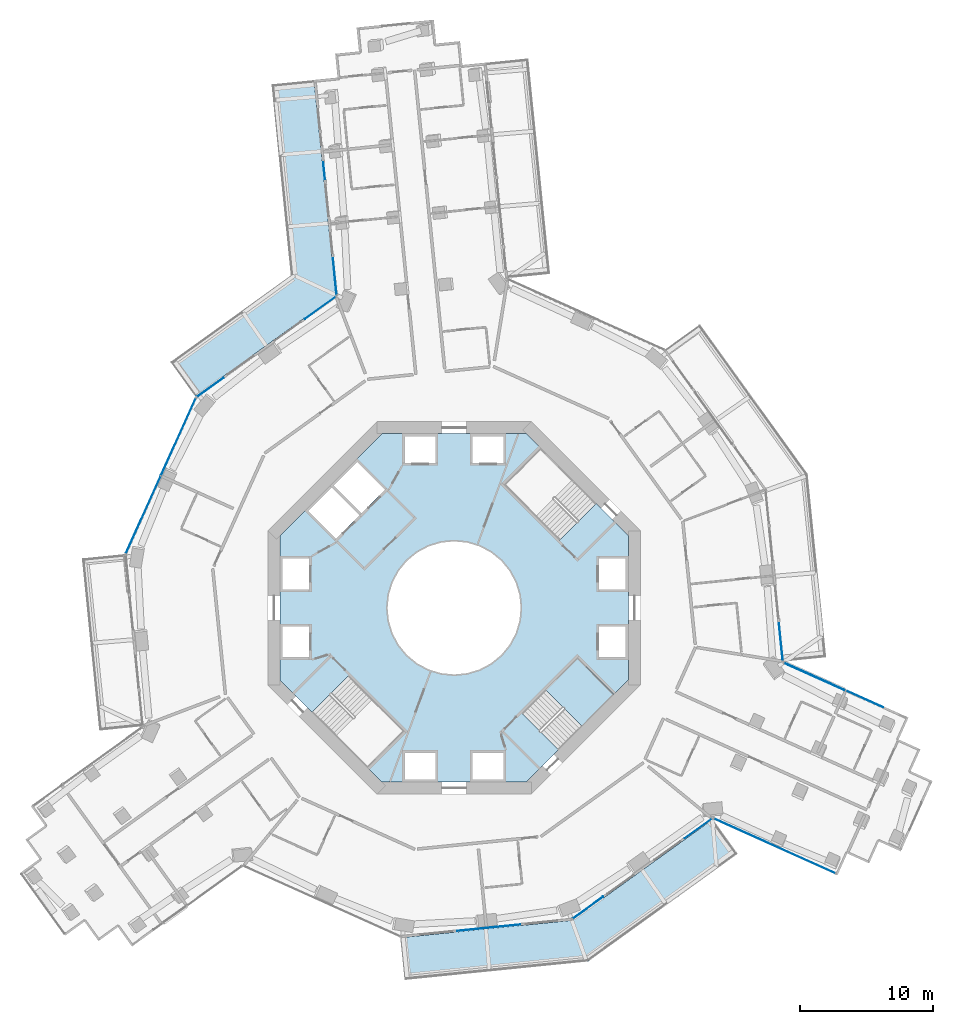
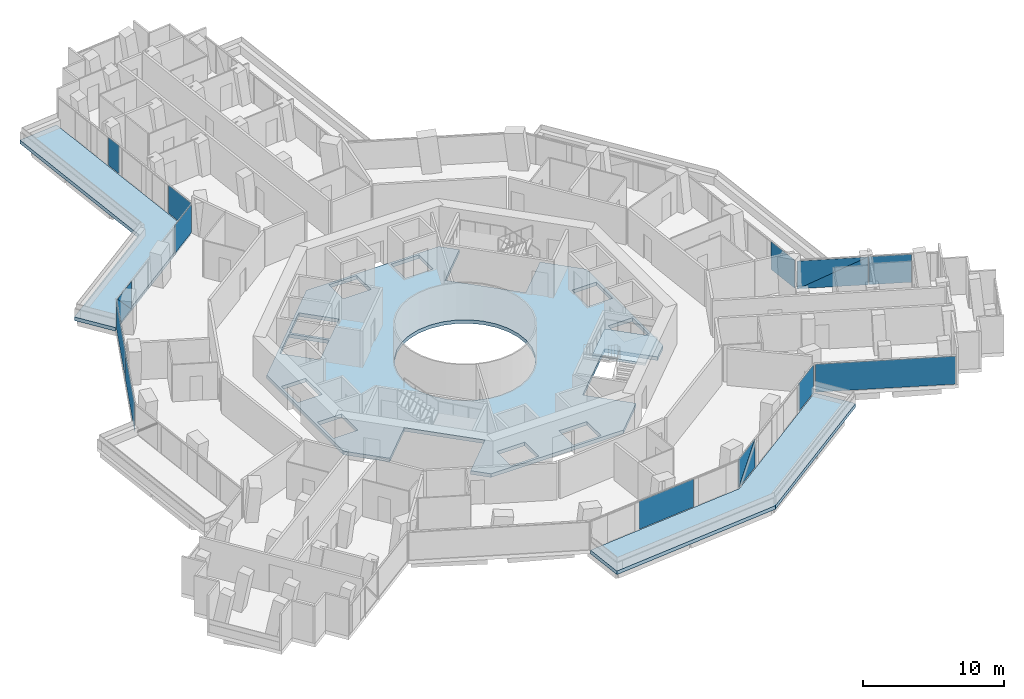
# One storey, part 14 of 26: 16 plates, 4 slabs, 9 elements without a shape of their own.
"""IFC4 building model written with IfcOpenShell, lengths in metres."""

from ifc_helpers import new_model, si_unit, direction, frame, origin, origin_2d, place, context, subcontext, project, spatial, polyline, rectangle, outline, extrude, material, layer, layer_set, type_object, element, aggregate, save


model = new_model("IFC4")

# Units and contexts
model_context = context("Model", 3, precision=1e-05, world=origin(), true_north=direction((0.0, 1.0)))
body_context = subcontext(model_context, "Body", "Model", "MODEL_VIEW")
ifc_project = project(units=[si_unit("LENGTHUNIT", "METRE"), si_unit("AREAUNIT", "SQUARE_METRE"), si_unit("VOLUMEUNIT", "CUBIC_METRE"), si_unit("PLANEANGLEUNIT", "RADIAN"), si_unit("MASSUNIT", "GRAM", prefix="KILO")], contexts=[model_context])

# Site, building, storey
site_placement = place(None, origin())
site = spatial("IfcSite", under=ifc_project, at=site_placement, CompositionType="ELEMENT")
building_placement = place(site_placement, origin())
building = spatial("IfcBuilding", under=site, at=building_placement, Name="Verdalira Terraces Hotel", CompositionType="ELEMENT")
storey_placement = place(building_placement, frame((0.0, 0.0, 56.5)))
storey = spatial("IfcBuildingStorey", under=building, at=storey_placement, Name="L12", CompositionType="ELEMENT", Elevation=56.5)

# Slabs
ifc_material_1 = material(Name="Precast concrete C40/50", Category="concrete")
ifc_layer_1 = layer(ifc_material_1, 0.31005859375)
ifc_layer_set_1 = layer_set([ifc_layer_1], Name="Balcony deck 310")
slab_type_1 = type_object("IfcSlabType", Name="Balcony deck 310", PredefinedType="FLOOR", material=ifc_layer_set_1)
slab_1_placement = place(storey_placement, frame((0.0, 0.0, -0.310059)))
element("IfcSlab", 1, at=slab_1_placement, inside=storey, type_object=slab_type_1, Name="Balcony deck", PredefinedType="FLOOR", context=body_context, shape_type="SweptSolid", body=[
    extrude(outline(polyline([(-12.270996, 25.000488), (-21.321045, 18.483154), (-19.450928, 15.886475), (-8.901855, 23.483398), (-10.534668, 39.672119), (-13.718506, 39.351074), (-12.270996, 25.000488)])), origin(), (0.0, 0.0, 1.0), 0.310059),
])
slab_2_placement = place(storey_placement, frame((0.0, 0.0, -0.310059)))
element("IfcSlab", 2, at=slab_2_placement, inside=storey, type_object=slab_type_1, Name="Balcony deck", PredefinedType="FLOOR", context=body_context, shape_type="SweptSolid", body=[
    extrude(outline(polyline([(21.321045, -18.483154), (19.450928, -15.886475), (8.901855, -23.483398), (-4.032471, -24.788086), (-3.711426, -27.971924), (10.076172, -26.581299), (21.321045, -18.483154)])), origin(), (0.0, 0.0, 1.0), 0.310059),
])

# Curtain wall, plates
ifc_material_2 = material(Name="Clear glass", Category="glass")
ifc_layer_2 = layer(ifc_material_2, 0.14990234375)
ifc_layer_set_2 = layer_set([ifc_layer_2], Name="CW1 curtain wall")
curtain_wall_type_1 = type_object("IfcCurtainWallType", Name="CW1 curtain wall", PredefinedType="NOTDEFINED", material=ifc_layer_set_2)
curtain_wall_1_placement = place(storey_placement, origin())
curtain_wall_1 = element("IfcCurtainWall", 3, at=curtain_wall_1_placement, inside=storey, type_object=curtain_wall_type_1, Name="CW1 curtain wall L12 edge 11", PredefinedType="NOTDEFINED")
ifc_material_3 = material(Name="Clear glass", Category="glass")
ifc_layer_3 = layer(ifc_material_3, 0.028076171875)
ifc_layer_set_3 = layer_set([ifc_layer_3], Name="CW1 glass unit 28")
plate_type_1 = type_object("IfcPlateType", Name="CW1 glass unit 28", PredefinedType="CURTAIN_PANEL", material=ifc_layer_set_3)
plate_1_placement = place(storey_placement, frame((-10.058838, 22.557861, 0.0), z_axis=(0.0, 0.0, 1.0), x_axis=(-0.811471999, -0.584391303, 0.0)))
plate_1 = element("IfcPlate", 4, at=plate_1_placement, type_object=plate_type_1, Name="CW1 glass unit", PredefinedType="CURTAIN_PANEL", context=body_context, shape_type="SweptSolid", body=[
    extrude(rectangle(XDim=2.840088, YDim=0.028076, at=origin_2d()), origin(), (0.0, 0.0, 1.0), 2.425049),
])
plate_2_placement = place(storey_placement, frame((-18.327881, 16.585449, 1.212402), z_axis=(-0.584391303, 0.811471999, 0.0), x_axis=(-0.811471999, -0.584391303, 0.0)))
plate_2 = element("IfcPlate", 5, at=plate_2_placement, type_object=plate_type_1, Name="CW1 glass unit", PredefinedType="CURTAIN_PANEL", context=body_context, shape_type="SweptSolid", body=[
    extrude(outline(polyline([(-1.219727, -1.212402), (1.219727, -1.212402), (1.219727, 1.212402), (-1.219727, -1.212402)])), origin(), (0.0, 0.0, 1.0), 0.028076),
])
plate_3_placement = place(storey_placement, frame((-18.311035, 16.562012, 1.212402), z_axis=(-0.584391303, 0.811471999, 0.0), x_axis=(-0.811471999, -0.584391303, 0.0)))
plate_3 = element("IfcPlate", 6, at=plate_3_placement, type_object=plate_type_1, Name="CW1 glass unit", PredefinedType="CURTAIN_PANEL", context=body_context, shape_type="SweptSolid", body=[
    extrude(outline(polyline([(-1.219727, -1.212402), (1.219727, 1.212402), (-1.219727, 1.212402), (-1.219727, -1.212402)])), origin(), (0.0, 0.0, 1.0), 0.028076),
])
aggregate(curtain_wall_1, [plate_1, plate_2, plate_3])

curtain_wall_2_placement = place(storey_placement, origin())
curtain_wall_2 = element("IfcCurtainWall", 7, at=curtain_wall_2_placement, inside=storey, type_object=curtain_wall_type_1, Name="CW1 curtain wall L12 edge 12", PredefinedType="NOTDEFINED")
plate_4_placement = place(storey_placement, frame((-20.731201, 12.860107, 0.0), z_axis=(0.0, 0.0, 1.0), x_axis=(-0.410559714, -0.911833714, 0.0)))
plate_4 = element("IfcPlate", 8, at=plate_4_placement, type_object=plate_type_1, Name="CW1 glass unit", PredefinedType="CURTAIN_PANEL", context=body_context, shape_type="SweptSolid", body=[
    extrude(rectangle(XDim=6.369873, YDim=0.028076, at=origin_2d()), origin(), (0.0, 0.0, 1.0), 2.425049),
])
plate_5_placement = place(storey_placement, frame((-23.371094, 6.997314, 0.0), z_axis=(0.0, 0.0, 1.0), x_axis=(-0.410559714, -0.911833714, 0.0)))
plate_5 = element("IfcPlate", 9, at=plate_5_placement, type_object=plate_type_1, Name="CW1 glass unit", PredefinedType="CURTAIN_PANEL", context=body_context, shape_type="SweptSolid", body=[
    extrude(rectangle(XDim=6.369873, YDim=0.028076, at=origin_2d()), origin(), (0.0, 0.0, 1.0), 2.425049),
])
aggregate(curtain_wall_2, [plate_4, plate_5])

# Curtain wall, plate
curtain_wall_3_placement = place(storey_placement, origin())
curtain_wall_3 = element("IfcCurtainWall", 10, at=curtain_wall_3_placement, inside=storey, type_object=curtain_wall_type_1, Name="CW1 curtain wall L12 edge 26", PredefinedType="NOTDEFINED")
plate_6_placement = place(storey_placement, frame((2.604736, -24.043213, 0.0), z_axis=(0.0, 0.0, 1.0), x_axis=(0.994951017, 0.100361715, 0.0)))
plate_6 = element("IfcPlate", 11, at=plate_6_placement, type_object=plate_type_1, Name="CW1 glass unit", PredefinedType="CURTAIN_PANEL", context=body_context, shape_type="SweptSolid", body=[
    extrude(rectangle(XDim=4.759277, YDim=0.028076, at=origin_2d()), origin(), (0.0, 0.0, 1.0), 2.425049),
])
aggregate(curtain_wall_3, [plate_6])

# Curtain wall, plates
curtain_wall_4_placement = place(storey_placement, origin())
curtain_wall_4 = element("IfcCurtainWall", 12, at=curtain_wall_4_placement, inside=storey, type_object=curtain_wall_type_1, Name="CW1 curtain wall L12 edge 27", PredefinedType="NOTDEFINED")
plate_7_placement = place(storey_placement, frame((10.066895, -22.534424, 1.212402), z_axis=(0.584391303, -0.811471999, 0.0), x_axis=(0.811471999, 0.584391303, 0.0)))
plate_7 = element("IfcPlate", 13, at=plate_7_placement, type_object=plate_type_1, Name="CW1 glass unit", PredefinedType="CURTAIN_PANEL", context=body_context, shape_type="SweptSolid", body=[
    extrude(outline(polyline([(-1.399902, -1.212402), (1.399902, -1.212402), (1.399902, 1.212402), (-1.399902, -1.212402)])), origin(), (0.0, 0.0, 1.0), 0.028076),
])
plate_8_placement = place(storey_placement, frame((10.050049, -22.510986, 1.212402), z_axis=(0.584391303, -0.811471999, 0.0), x_axis=(0.811471999, 0.584391303, 0.0)))
plate_8 = element("IfcPlate", 14, at=plate_8_placement, type_object=plate_type_1, Name="CW1 glass unit", PredefinedType="CURTAIN_PANEL", context=body_context, shape_type="SweptSolid", body=[
    extrude(outline(polyline([(-1.399902, -1.212402), (1.399902, 1.212402), (-1.399902, 1.212402), (-1.399902, -1.212402)])), origin(), (0.0, 0.0, 1.0), 0.028076),
])
plate_9_placement = place(storey_placement, frame((18.352295, -16.585205, 0.0), z_axis=(0.0, 0.0, 1.0), x_axis=(0.811471999, 0.584391303, 0.0)))
plate_9 = element("IfcPlate", 15, at=plate_9_placement, type_object=plate_type_1, Name="CW1 glass unit", PredefinedType="CURTAIN_PANEL", context=body_context, shape_type="SweptSolid", body=[
    extrude(rectangle(XDim=2.479492, YDim=0.028076, at=origin_2d()), origin(), (0.0, 0.0, 1.0), 2.425049),
])
aggregate(curtain_wall_4, [plate_7, plate_8, plate_9])

# Curtain wall, plate
curtain_wall_5_placement = place(storey_placement, origin())
curtain_wall_5 = element("IfcCurtainWall", 16, at=curtain_wall_5_placement, inside=storey, type_object=curtain_wall_type_1, Name="CW1 curtain wall L12 edge 39", PredefinedType="NOTDEFINED")
plate_10_placement = place(storey_placement, frame((24.564941, -2.567627, 0.0), z_axis=(0.0, 0.0, 1.0), x_axis=(-0.100361715, 0.994951017, 0.0)))
plate_10 = element("IfcPlate", 17, at=plate_10_placement, type_object=plate_type_1, Name="CW1 glass unit", PredefinedType="CURTAIN_PANEL", context=body_context, shape_type="SweptSolid", body=[
    extrude(rectangle(XDim=2.840088, YDim=0.028076, at=origin_2d()), origin(), (0.0, 0.0, 1.0), 2.425049),
])
aggregate(curtain_wall_5, [plate_10])

# Curtain wall, plates
ifc_material_4 = material(Name="Clear glass", Category="glass")
ifc_layer_4 = layer(ifc_material_4, 0.14990234375)
ifc_layer_set_4 = layer_set([ifc_layer_4], Name="CW2 curtain wall")
curtain_wall_type_2 = type_object("IfcCurtainWallType", Name="CW2 curtain wall", PredefinedType="NOTDEFINED", material=ifc_layer_set_4)
curtain_wall_6_placement = place(storey_placement, origin())
curtain_wall_6 = element("IfcCurtainWall", 18, at=curtain_wall_6_placement, inside=storey, type_object=curtain_wall_type_2, Name="CW2 curtain wall L12 edge 10", PredefinedType="NOTDEFINED")
ifc_material_5 = material(Name="Clear glass", Category="glass")
ifc_layer_5 = layer(ifc_material_5, 0.031982421875)
ifc_layer_set_5 = layer_set([ifc_layer_5], Name="CW2 glass unit 32")
plate_type_2 = type_object("IfcPlateType", Name="CW2 glass unit 32", PredefinedType="CURTAIN_PANEL", material=ifc_layer_set_5)
plate_11_placement = place(storey_placement, frame((-9.773193, 32.868652, 0.0), z_axis=(0.0, 0.0, 1.0), x_axis=(0.100361715, -0.994951017, 0.0)))
plate_11 = element("IfcPlate", 19, at=plate_11_placement, type_object=plate_type_2, Name="CW2 glass unit", PredefinedType="CURTAIN_PANEL", context=body_context, shape_type="SweptSolid", body=[
    extrude(rectangle(XDim=1.302979, YDim=0.031982, at=origin_2d()), origin(), (0.0, 0.0, 1.0), 2.425049),
])
plate_12_placement = place(storey_placement, frame((-8.970947, 24.91626, 0.0), z_axis=(0.0, 0.0, 1.0), x_axis=(0.100361715, -0.994951017, 0.0)))
plate_12 = element("IfcPlate", 20, at=plate_12_placement, type_object=plate_type_2, Name="CW2 glass unit", PredefinedType="CURTAIN_PANEL", context=body_context, shape_type="SweptSolid", body=[
    extrude(rectangle(XDim=2.724854, YDim=0.031982, at=origin_2d()), origin(), (0.0, 0.0, 1.0), 2.425049),
])
aggregate(curtain_wall_6, [plate_11, plate_12])

# Curtain wall, plate
curtain_wall_7_placement = place(storey_placement, origin())
curtain_wall_7 = element("IfcCurtainWall", 21, at=curtain_wall_7_placement, inside=storey, type_object=curtain_wall_type_2, Name="CW2 curtain wall L12 edge 28", PredefinedType="NOTDEFINED")
plate_13_placement = place(storey_placement, frame((24.095947, -17.895508, 0.0), z_axis=(0.0, 0.0, 1.0), x_axis=(0.911833714, -0.410559714, 0.0)))
plate_13 = element("IfcPlate", 22, at=plate_13_placement, type_object=plate_type_2, Name="CW2 glass unit", PredefinedType="CURTAIN_PANEL", context=body_context, shape_type="SweptSolid", body=[
    extrude(rectangle(XDim=9.980713, YDim=0.031982, at=origin_2d()), origin(), (0.0, 0.0, 1.0), 2.425049),
])
aggregate(curtain_wall_7, [plate_13])

# Curtain wall, plates
curtain_wall_8_placement = place(storey_placement, origin())
curtain_wall_8 = element("IfcCurtainWall", 23, at=curtain_wall_8_placement, inside=storey, type_object=curtain_wall_type_2, Name="CW2 curtain wall L12 edge 38", PredefinedType="NOTDEFINED")
plate_14_placement = place(storey_placement, frame((30.856934, -6.847168, 0.0), z_axis=(0.0, 0.0, 1.0), x_axis=(-0.911833714, 0.410559714, 0.0)))
plate_14 = element("IfcPlate", 24, at=plate_14_placement, type_object=plate_type_2, Name="CW2 glass unit", PredefinedType="CURTAIN_PANEL", context=body_context, shape_type="SweptSolid", body=[
    extrude(rectangle(XDim=3.037598, YDim=0.031982, at=origin_2d()), origin(), (0.0, 0.0, 1.0), 2.425049),
])
plate_15_placement = place(storey_placement, frame((27.108154, -5.177002, 1.212402), z_axis=(0.410559714, 0.911833714, 0.0), x_axis=(-0.911833714, 0.410559714, 0.0)))
plate_15 = element("IfcPlate", 25, at=plate_15_placement, type_object=plate_type_2, Name="CW2 glass unit", PredefinedType="CURTAIN_PANEL", context=body_context, shape_type="SweptSolid", body=[
    extrude(outline(polyline([(-2.515137, -1.212402), (2.515137, -1.212402), (-2.515137, 1.212402), (-2.515137, -1.212402)])), origin(), (0.0, 0.0, 1.0), 0.031982),
])
plate_16_placement = place(storey_placement, frame((27.094727, -5.207031, 1.212402), z_axis=(0.410559714, 0.911833714, 0.0), x_axis=(-0.911833714, 0.410559714, 0.0)))
plate_16 = element("IfcPlate", 26, at=plate_16_placement, type_object=plate_type_2, Name="CW2 glass unit", PredefinedType="CURTAIN_PANEL", context=body_context, shape_type="SweptSolid", body=[
    extrude(outline(polyline([(2.515137, -1.212402), (2.515137, 1.212402), (-2.515137, 1.212402), (2.515137, -1.212402)])), origin(), (0.0, 0.0, 1.0), 0.031982),
])
aggregate(curtain_wall_8, [plate_14, plate_15, plate_16])

# Slab
ifc_material_6 = material(Name="Concrete C40", Category="concrete")
ifc_layer_6 = layer(ifc_material_6, 0.31005859375)
ifc_layer_set_6 = layer_set([ifc_layer_6], Name="Core floor slab 310 mm")
slab_type_2 = type_object("IfcSlabType", Name="Core floor slab 310 mm", PredefinedType="FLOOR", material=ifc_layer_set_6)
slab_3_placement = place(storey_placement, frame((0.0, 0.0, -0.310059)))
element("IfcSlab", 27, at=slab_3_placement, inside=storey, type_object=slab_type_2, Name="L12 core floor", PredefinedType="FLOOR", context=body_context, shape_type="SweptSolid", body=[
    extrude(outline(polyline([(-5.42627, 13.100098), (5.42627, 13.100098), (6.491211, 12.034912), (3.719482, 9.263184), (7.905029, 5.077393), (10.677002, 7.849121), (13.100098, 5.42627), (13.100098, -5.42627), (12.034912, -6.491211), (9.263184, -3.719482), (5.077393, -7.905029), (7.849121, -10.677002), (5.42627, -13.100098), (-5.42627, -13.100098), (-6.491211, -12.034912), (-3.719482, -9.263184), (-7.905029, -5.077393), (-10.677002, -7.849121), (-13.100098, -5.42627), (-13.100098, 5.42627), (-5.42627, 13.100098)]), holes=[polyline([(12.899902, -3.699951), (12.899902, -1.399902), (10.899902, -1.399902), (10.899902, -3.699951), (12.899902, -3.699951)]), polyline([(12.899902, 1.399902), (12.899902, 3.699951), (10.899902, 3.699951), (10.899902, 1.399902), (12.899902, 1.399902)]), polyline([(1.399902, 10.899902), (3.699951, 10.899902), (3.699951, 12.899902), (1.399902, 12.899902), (1.399902, 10.899902)]), polyline([(-3.699951, 10.899902), (-1.399902, 10.899902), (-1.399902, 12.899902), (-3.699951, 12.899902), (-3.699951, 10.899902)]), polyline([(-12.899902, 3.699951), (-12.899902, 1.399902), (-10.899902, 1.399902), (-10.899902, 3.699951), (-12.899902, 3.699951)]), polyline([(-12.899902, -1.399902), (-12.899902, -3.699951), (-10.899902, -3.699951), (-10.899902, -1.399902), (-12.899902, -1.399902)]), polyline([(-1.399902, -10.899902), (-3.699951, -10.899902), (-3.699951, -12.899902), (-1.399902, -12.899902), (-1.399902, -10.899902)]), polyline([(3.699951, -10.899902), (1.399902, -10.899902), (1.399902, -12.899902), (3.699951, -12.899902), (3.699951, -10.899902)]), polyline([(-9.051025, 9.192383), (-6.965088, 7.106445), (-5.197266, 8.874268), (-7.283203, 10.960205), (-9.051025, 9.192383)]), polyline([(-9.192383, 9.051025), (-10.960205, 7.283203), (-8.874268, 5.197266), (-7.106445, 6.965088), (-9.192383, 9.051025)]), polyline([(3.5354, 3.5354), (2.777832, 4.157227), (1.91333, 4.619385), (0.975586, 4.903809), (0.0, 5.0), (-0.975586, 4.903809), (-1.91333, 4.619385), (-2.777832, 4.157227), (-3.5354, 3.5354), (-4.157227, 2.777832), (-4.619385, 1.91333), (-4.903809, 0.975586), (-5.0, 0.0), (-4.903809, -0.975586), (-4.619385, -1.91333), (-4.157227, -2.777832), (-3.5354, -3.5354), (-2.777832, -4.157227), (-1.91333, -4.619385), (-0.975586, -4.903809), (0.0, -5.0), (0.975586, -4.903809), (1.91333, -4.619385), (2.777832, -4.157227), (3.5354, -3.5354), (4.157227, -2.777832), (4.619385, -1.91333), (4.903809, -0.975586), (5.0, 0.0), (4.903809, 0.975586), (4.619385, 1.91333), (4.157227, 2.777832), (3.5354, 3.5354)])]), origin(), (0.0, 0.0, 1.0), 0.310059),
])

# Stair, slab
ifc_material_7 = material(Name="Concrete C40", Category="concrete")
stair_type = type_object("IfcStairType", Name="Core stair 20 risers 1900 mm wide", PredefinedType="HALF_TURN_STAIR", material=ifc_material_7)
stair_placement = place(storey_placement, origin())
stair = element("IfcStair", 28, at=stair_placement, inside=storey, type_object=stair_type, Name="L12 Exit stair ST3", PredefinedType="HALF_TURN_STAIR")
ifc_material_8 = material(Name="Concrete C40", Category="concrete")
ifc_layer_7 = layer(ifc_material_8, 0.199951171875)
ifc_layer_set_7 = layer_set([ifc_layer_7], Name="Core stair landing 200 mm")
slab_type_3 = type_object("IfcSlabType", Name="Core stair landing 200 mm", PredefinedType="LANDING", material=ifc_layer_set_7)
slab_4_placement = place(storey_placement, frame((0.0, 0.0, 1.550049)))
slab_4 = element("IfcSlab", 29, at=slab_4_placement, type_object=slab_type_3, Name="ST3 landing 1", PredefinedType="LANDING", context=body_context, shape_type="SweptSolid", body=[
    extrude(outline(polyline([(9.630371, -8.895752), (12.020752, -6.505371), (9.263184, -3.747559), (6.872803, -6.137939), (9.630371, -8.895752)])), origin(), (0.0, 0.0, 1.0), 0.199951),
])
aggregate(stair, [slab_4])

save(model, "model.ifc")
